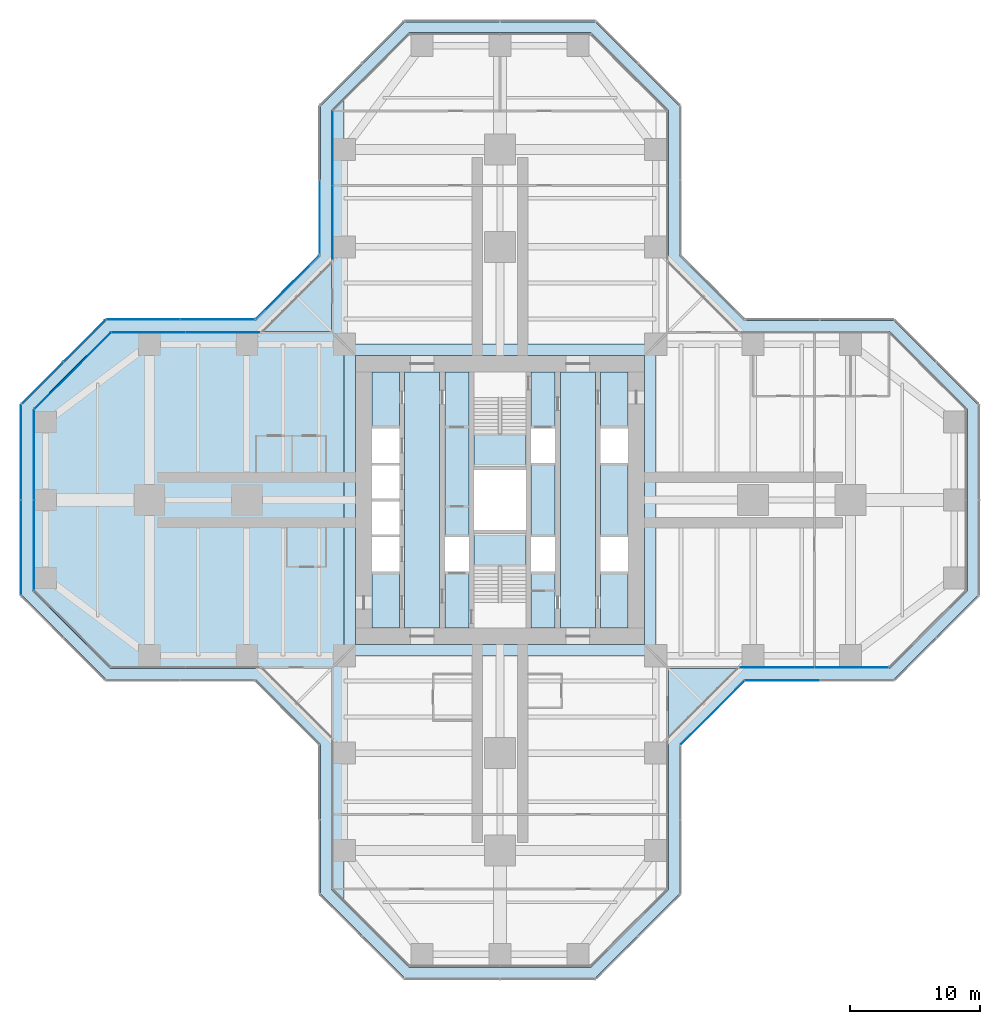
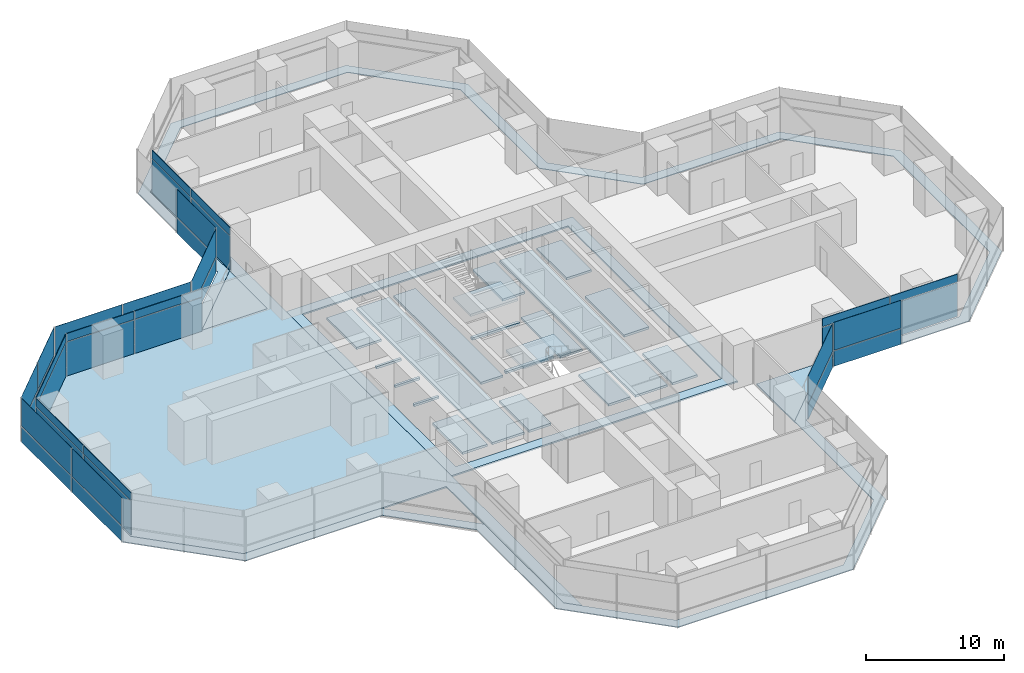
# One storey, part 15 of 22: 39 plates, 7 slabs, 14 elements without a shape of their own.
"""IFC4 building model written with IfcOpenShell, lengths in metres."""

from ifc_helpers import new_model, si_unit, direction, frame, origin, origin_2d, place, context, subcontext, project, spatial, polyline, rectangle, outline, extrude, material, layer, layer_set, type_object, element, aggregate, save


model = new_model("IFC4")

# Units and contexts
model_context = context("Model", 3, precision=1e-05, world=origin(), true_north=direction((0.0, 1.0)))
body_context = subcontext(model_context, "Body", "Model", "MODEL_VIEW")
ifc_project = project(units=[si_unit("LENGTHUNIT", "METRE"), si_unit("AREAUNIT", "SQUARE_METRE"), si_unit("VOLUMEUNIT", "CUBIC_METRE"), si_unit("PLANEANGLEUNIT", "RADIAN"), si_unit("MASSUNIT", "GRAM", prefix="KILO")], contexts=[model_context])

# Site, building, storey
site_placement = place(None, origin())
site = spatial("IfcSite", under=ifc_project, at=site_placement, CompositionType="ELEMENT")
building_placement = place(site_placement, origin())
building = spatial("IfcBuilding", under=site, at=building_placement, Name="Mizan Broadcast Tower", CompositionType="ELEMENT")
storey_placement = place(building_placement, frame((0.0, 0.0, 94.199951171875)))
storey = spatial("IfcBuildingStorey", under=building, at=storey_placement, Name="L20", CompositionType="ELEMENT", Elevation=94.199951171875)

# Plate
ifc_material_1 = material(Name="Aluminium grating", Category="aluminium")
ifc_layer_1 = layer(ifc_material_1, 0.050048828125)
ifc_layer_set_1 = layer_set([ifc_layer_1], Name="Aluminium grating")
plate_type_1 = type_object("IfcPlateType", Name="CAVITY GRATING", PredefinedType="USERDEFINED", material=ifc_layer_set_1)
plate_1_placement = place(storey_placement, frame((0.0, 0.0, -0.050048828125)))
element("IfcPlate", 1, at=plate_1_placement, inside=storey, type_object=plate_type_1, Name="Cavity grating L20", ObjectType="GRATING", PredefinedType="USERDEFINED", context=body_context, shape_type="SweptSolid", body=[
    extrude(outline(polyline([(13.820068359375, -18.839599609375), (18.839599609375, -13.820068359375), (30.339599609375, -13.820068359375), (36.820068359375, -7.339599609375), (36.820068359375, 7.339599609375), (30.339599609375, 13.820068359375), (18.839599609375, 13.820068359375), (13.820068359375, 18.839599609375), (13.820068359375, 30.339599609375), (7.339599609375, 36.820068359375), (-7.339599609375, 36.820068359375), (-13.820068359375, 30.339599609375), (-13.820068359375, 18.839599609375), (-18.839599609375, 13.820068359375), (-30.339599609375, 13.820068359375), (-36.820068359375, 7.339599609375), (-36.820068359375, -7.339599609375), (-30.339599609375, -13.820068359375), (-18.839599609375, -13.820068359375), (-13.820068359375, -18.839599609375), (-13.820068359375, -30.339599609375), (-7.339599609375, -36.820068359375), (7.339599609375, -36.820068359375), (13.820068359375, -30.339599609375), (13.820068359375, -18.839599609375)]), holes=[polyline([(36.0, 7.0), (36.0, -7.0), (30.0, -13.0), (18.5, -13.0), (13.0, -18.5), (13.0, -30.0), (7.0, -36.0), (-7.0, -36.0), (-13.0, -30.0), (-13.0, -18.5), (-18.5, -13.0), (-30.0, -13.0), (-36.0, -7.0), (-36.0, 7.0), (-30.0, 13.0), (-18.5, 13.0), (-13.0, 18.5), (-13.0, 30.0), (-7.0, 36.0), (7.0, 36.0), (13.0, 30.0), (13.0, 18.5), (18.5, 13.0), (30.0, 13.0), (36.0, 7.0)])]), origin(), (0.0, 0.0, 1.0), 0.050048828125),
])

# Slabs
ifc_material_2 = material(Name="Concrete C32/40", Category="concrete")
ifc_layer_2 = layer(ifc_material_2, 0.1298828125)
ifc_layer_set_2 = layer_set([ifc_layer_2], Name="Concrete C32/40")
slab_type_1 = type_object("IfcSlabType", Name="COMPOSITE DECK SLAB 130", PredefinedType="FLOOR", material=ifc_layer_set_2)
slab_1_placement = place(storey_placement, frame((0.0, 0.0, -0.1298828125)))
element("IfcSlab", 2, at=slab_1_placement, inside=storey, type_object=slab_type_1, Name="Floor slab L20 centre", PredefinedType="FLOOR", context=body_context, shape_type="SweptSolid", body=[
    extrude(outline(polyline([(-12.0, -12.0), (12.0, -12.0), (12.0, 12.0), (-12.0, 12.0), (-12.0, -12.0)]), holes=[polyline([(-11.14990234375, 11.14990234375), (11.14990234375, 11.14990234375), (11.14990234375, -11.14990234375), (-11.14990234375, -11.14990234375), (-11.14990234375, 11.14990234375)])]), origin(), (0.0, 0.0, 1.0), 0.1298828125),
])
slab_2_placement = place(storey_placement, frame((0.0, 0.0, -0.1298828125)))
element("IfcSlab", 3, at=slab_2_placement, inside=storey, type_object=slab_type_1, Name="Floor slab L20 west arm", PredefinedType="FLOOR", context=body_context, shape_type="SweptSolid", body=[
    extrude(outline(polyline([(-13.0, -30.0), (-12.0, -31.0), (-12.0, 31.0), (-13.0, 30.0), (-13.0, 13.0), (-30.0, 13.0), (-36.0, 7.0), (-36.0, -7.0), (-30.0, -13.0), (-13.0, -13.0), (-13.0, -30.0)])), origin(), (0.0, 0.0, 1.0), 0.1298828125),
])
ifc_material_3 = material(Name="Concrete C40/50", Category="concrete")
ifc_layer_3 = layer(ifc_material_3, 0.199951171875)
ifc_layer_set_3 = layer_set([ifc_layer_3], Name="Concrete C40/50")
slab_type_2 = type_object("IfcSlabType", Name="CORE FLOOR 200", PredefinedType="FLOOR", material=ifc_layer_set_3)
slab_3_placement = place(storey_placement, frame((0.0, 0.0, -0.199951171875)))
element("IfcSlab", 4, at=slab_3_placement, inside=storey, type_object=slab_type_2, Name="Core floor L20", PredefinedType="FLOOR", context=body_context, shape_type="SweptSolid", body=[
    extrude(outline(polyline([(-9.85009765625, -9.85009765625), (-7.75, -9.85009765625), (-7.75, -5.5), (-9.85009765625, -5.5), (-9.85009765625, -9.85009765625)])), origin(), (0.0, 0.0, 1.0), 0.199951171875),
    extrude(outline(polyline([(-9.85009765625, -2.85009765625), (-7.75, -2.85009765625), (-7.75, -2.64990234375), (-9.85009765625, -2.64990234375), (-9.85009765625, -2.85009765625)])), origin(), (0.0, 0.0, 1.0), 0.199951171875),
    extrude(outline(polyline([(-9.85009765625, -0.10009765625), (-7.75, -0.10009765625), (-7.75, 0.10009765625), (-9.85009765625, 0.10009765625), (-9.85009765625, -0.10009765625)])), origin(), (0.0, 0.0, 1.0), 0.199951171875),
    extrude(outline(polyline([(-9.85009765625, 2.64990234375), (-7.75, 2.64990234375), (-7.75, 2.85009765625), (-9.85009765625, 2.85009765625), (-9.85009765625, 2.64990234375)])), origin(), (0.0, 0.0, 1.0), 0.199951171875),
    extrude(outline(polyline([(-9.85009765625, 5.5), (-7.75, 5.5), (-7.75, 9.85009765625), (-9.85009765625, 9.85009765625), (-9.85009765625, 5.5)])), origin(), (0.0, 0.0, 1.0), 0.199951171875),
    extrude(outline(polyline([(-4.64990234375, 9.85009765625), (-7.35009765625, 9.85009765625), (-7.35009765625, -9.85009765625), (-4.64990234375, -9.85009765625), (-4.64990234375, 9.85009765625)])), origin(), (0.0, 0.0, 1.0), 0.199951171875),
    extrude(outline(polyline([(-4.25, -5.5), (-4.25, -9.85009765625), (-2.39990234375, -9.85009765625), (-2.39990234375, -5.5), (-4.25, -5.5)])), origin(), (0.0, 0.0, 1.0), 0.199951171875),
    extrude(outline(polyline([(-4.25, -2.85009765625), (-2.39990234375, -2.85009765625), (-2.39990234375, 9.85009765625), (-4.25, 9.85009765625), (-4.25, -2.85009765625)])), origin(), (0.0, 0.0, 1.0), 0.199951171875),
    extrude(outline(polyline([(2.0, -2.324951171875), (-2.0, -2.324951171875), (-2.0, -2.574951171875), (2.0, -2.574951171875), (2.0, -2.324951171875)])), origin(), (0.0, 0.0, 1.0), 0.199951171875),
    extrude(outline(polyline([(2.0, 2.574951171875), (-2.0, 2.574951171875), (-2.0, 2.324951171875), (2.0, 2.324951171875), (2.0, 2.574951171875)])), origin(), (0.0, 0.0, 1.0), 0.199951171875),
    extrude(outline(polyline([(4.25, -9.85009765625), (4.25, -5.5), (2.39990234375, -5.5), (2.39990234375, -9.85009765625), (4.25, -9.85009765625)])), origin(), (0.0, 0.0, 1.0), 0.199951171875),
    extrude(outline(polyline([(4.25, -2.85009765625), (4.25, 2.85009765625), (2.39990234375, 2.85009765625), (2.39990234375, -2.85009765625), (4.25, -2.85009765625)])), origin(), (0.0, 0.0, 1.0), 0.199951171875),
    extrude(outline(polyline([(4.25, 5.5), (4.25, 9.85009765625), (2.39990234375, 9.85009765625), (2.39990234375, 5.5), (4.25, 5.5)])), origin(), (0.0, 0.0, 1.0), 0.199951171875),
    extrude(outline(polyline([(4.64990234375, 9.85009765625), (4.64990234375, -9.85009765625), (7.35009765625, -9.85009765625), (7.35009765625, 9.85009765625), (4.64990234375, 9.85009765625)])), origin(), (0.0, 0.0, 1.0), 0.199951171875),
    extrude(outline(polyline([(9.85009765625, -9.85009765625), (9.85009765625, -5.5), (7.75, -5.5), (7.75, -9.85009765625), (9.85009765625, -9.85009765625)])), origin(), (0.0, 0.0, 1.0), 0.199951171875),
    extrude(outline(polyline([(7.75, 2.85009765625), (7.75, -2.85009765625), (9.85009765625, -2.85009765625), (9.85009765625, 2.85009765625), (7.75, 2.85009765625)])), origin(), (0.0, 0.0, 1.0), 0.199951171875),
    extrude(outline(polyline([(9.85009765625, 5.5), (9.85009765625, 9.85009765625), (7.75, 9.85009765625), (7.75, 5.5), (9.85009765625, 5.5)])), origin(), (0.0, 0.0, 1.0), 0.199951171875),
])

# Curtain wall, plates
ifc_material_4 = material(Name="Aluminium framed glazing", Category="aluminium")
curtain_wall_type_1 = type_object("IfcCurtainWallType", Name="INNER SKIN LOW ZONE", PredefinedType="USERDEFINED", material=ifc_material_4)
curtain_wall_1_placement = place(storey_placement, origin())
curtain_wall_1 = element("IfcCurtainWall", 5, at=curtain_wall_1_placement, inside=storey, type_object=curtain_wall_type_1, Name="Inner skin low zone L20 E side", ObjectType="INNER SKIN LOW ZONE", PredefinedType="USERDEFINED")
ifc_material_5 = material(Name="Double glazing, clear low-e", Category="glass")
ifc_layer_4 = layer(ifc_material_5, 0.028076171875)
ifc_layer_set_4 = layer_set([ifc_layer_4], Name="Double glazing, clear low-e")
plate_type_2 = type_object("IfcPlateType", Name="INNER SKIN GLAZING UNIT", PredefinedType="CURTAIN_PANEL", material=ifc_layer_set_4)
plate_2_placement = place(storey_placement, frame((21.379638671875, -12.89990234375, 0.0), z_axis=(0.0, 0.0, 1.0), x_axis=(1.0, 0.0, 0.0)))
plate_2 = element("IfcPlate", 6, at=plate_2_placement, type_object=plate_type_2, Name="Inner skin low zone L20 E side panel 1.1", PredefinedType="CURTAIN_PANEL", context=body_context, shape_type="SweptSolid", body=[
    extrude(rectangle(XDim=5.639404296875, YDim=0.028076171875, at=origin_2d()), origin(), (0.0, 0.0, 1.0), 3.0),
])
plate_3_placement = place(storey_placement, frame((27.078857421875, -12.89990234375, 0.0), z_axis=(0.0, 0.0, 1.0), x_axis=(1.0, 0.0, 0.0)))
plate_3 = element("IfcPlate", 7, at=plate_3_placement, type_object=plate_type_2, Name="Inner skin low zone L20 E side panel 2.1", PredefinedType="CURTAIN_PANEL", context=body_context, shape_type="SweptSolid", body=[
    extrude(rectangle(XDim=5.639404296875, YDim=0.028076171875, at=origin_2d()), origin(), (0.0, 0.0, 1.0), 3.0),
])

curtain_wall_2_placement = place(storey_placement, origin())
curtain_wall_2 = element("IfcCurtainWall", 8, at=curtain_wall_2_placement, inside=storey, type_object=curtain_wall_type_1, Name="Inner skin low zone L20 N side", ObjectType="INNER SKIN LOW ZONE", PredefinedType="USERDEFINED")
plate_4_placement = place(storey_placement, frame((-12.89990234375, 27.078857421875, 0.0), z_axis=(0.0, 0.0, 1.0), x_axis=(0.0, -1.0, 0.0)))
plate_4 = element("IfcPlate", 9, at=plate_4_placement, type_object=plate_type_2, Name="Inner skin low zone L20 N side panel 1.1", PredefinedType="CURTAIN_PANEL", context=body_context, shape_type="SweptSolid", body=[
    extrude(rectangle(XDim=5.639404296875, YDim=0.028076171875, at=origin_2d()), origin(), (0.0, 0.0, 1.0), 3.0),
])
plate_5_placement = place(storey_placement, frame((-12.89990234375, 21.379638671875, 0.0), z_axis=(0.0, 0.0, 1.0), x_axis=(0.0, -1.0, 0.0)))
plate_5 = element("IfcPlate", 10, at=plate_5_placement, type_object=plate_type_2, Name="Inner skin low zone L20 N side panel 2.1", PredefinedType="CURTAIN_PANEL", context=body_context, shape_type="SweptSolid", body=[
    extrude(rectangle(XDim=5.639404296875, YDim=0.028076171875, at=origin_2d()), origin(), (0.0, 0.0, 1.0), 3.0),
])

curtain_wall_3_placement = place(storey_placement, origin())
curtain_wall_3 = element("IfcCurtainWall", 11, at=curtain_wall_3_placement, inside=storey, type_object=curtain_wall_type_1, Name="Inner skin low zone L20 W side", ObjectType="INNER SKIN LOW ZONE", PredefinedType="USERDEFINED")
plate_6_placement = place(storey_placement, frame((-21.379638671875, 12.89990234375, 0.0), z_axis=(0.0, 0.0, 1.0), x_axis=(-1.0, 0.0, 0.0)))
plate_6 = element("IfcPlate", 12, at=plate_6_placement, type_object=plate_type_2, Name="Inner skin low zone L20 W side panel 1.1", PredefinedType="CURTAIN_PANEL", context=body_context, shape_type="SweptSolid", body=[
    extrude(rectangle(XDim=5.639404296875, YDim=0.028076171875, at=origin_2d()), origin(), (0.0, 0.0, 1.0), 3.0),
])
plate_7_placement = place(storey_placement, frame((-27.078857421875, 12.89990234375, 0.0), z_axis=(0.0, 0.0, 1.0), x_axis=(-1.0, 0.0, 0.0)))
plate_7 = element("IfcPlate", 13, at=plate_7_placement, type_object=plate_type_2, Name="Inner skin low zone L20 W side panel 2.1", PredefinedType="CURTAIN_PANEL", context=body_context, shape_type="SweptSolid", body=[
    extrude(rectangle(XDim=5.639404296875, YDim=0.028076171875, at=origin_2d()), origin(), (0.0, 0.0, 1.0), 3.0),
])

# Curtain wall, plate
curtain_wall_4_placement = place(storey_placement, origin())
curtain_wall_4 = element("IfcCurtainWall", 14, at=curtain_wall_4_placement, inside=storey, type_object=curtain_wall_type_1, Name="Inner skin low zone L20 W chamfer", ObjectType="INNER SKIN LOW ZONE", PredefinedType="USERDEFINED")
plate_8_placement = place(storey_placement, frame((-32.92919921875, 9.92919921875, 0.0), z_axis=(0.0, 0.0, 1.0), x_axis=(-0.707106781187, -0.707106781187, 0.0)))
plate_8 = element("IfcPlate", 15, at=plate_8_placement, type_object=plate_type_2, Name="Inner skin low zone L20 W chamfer panel 1.1", PredefinedType="CURTAIN_PANEL", context=body_context, shape_type="SweptSolid", body=[
    extrude(rectangle(XDim=8.282470703125, YDim=0.028076171875, at=origin_2d()), origin(), (0.0, 0.0, 1.0), 3.0),
])

# Curtain wall, plates
curtain_wall_5_placement = place(storey_placement, origin())
curtain_wall_5 = element("IfcCurtainWall", 16, at=curtain_wall_5_placement, inside=storey, type_object=curtain_wall_type_1, Name="Inner skin low zone L20 W end", ObjectType="INNER SKIN LOW ZONE", PredefinedType="USERDEFINED")
plate_9_placement = place(storey_placement, frame((-35.89990234375, 3.46435546875, 0.0), z_axis=(0.0, 0.0, 1.0), x_axis=(0.0, -1.0, 0.0)))
plate_9 = element("IfcPlate", 17, at=plate_9_placement, type_object=plate_type_2, Name="Inner skin low zone L20 W end panel 1.1", PredefinedType="CURTAIN_PANEL", context=body_context, shape_type="SweptSolid", body=[
    extrude(rectangle(XDim=6.86865234375, YDim=0.028076171875, at=origin_2d()), origin(), (0.0, 0.0, 1.0), 3.0),
])
plate_10_placement = place(storey_placement, frame((-35.89990234375, -3.46435546875, 0.0), z_axis=(0.0, 0.0, 1.0), x_axis=(0.0, -1.0, 0.0)))
plate_10 = element("IfcPlate", 18, at=plate_10_placement, type_object=plate_type_2, Name="Inner skin low zone L20 W end panel 2.1", PredefinedType="CURTAIN_PANEL", context=body_context, shape_type="SweptSolid", body=[
    extrude(rectangle(XDim=6.86865234375, YDim=0.028076171875, at=origin_2d()), origin(), (0.0, 0.0, 1.0), 3.0),
])

# Plate
ifc_material_6 = material(Name="Insulated aluminium spandrel panel, pale anodised", Category="aluminium")
ifc_layer_5 = layer(ifc_material_6, 0.050048828125)
ifc_layer_set_5 = layer_set([ifc_layer_5], Name="Insulated aluminium spandrel panel, pale anodised")
plate_type_3 = type_object("IfcPlateType", Name="INNER SKIN SPANDREL PANEL", PredefinedType="CURTAIN_PANEL", material=ifc_layer_set_5)
plate_11_placement = place(storey_placement, frame((21.379638671875, -12.89990234375, 3.06005859375), z_axis=(0.0, 0.0, 1.0), x_axis=(1.0, 0.0, 0.0)))
plate_11 = element("IfcPlate", 19, at=plate_11_placement, type_object=plate_type_3, Name="Inner skin low zone L20 E side panel 1.2", PredefinedType="CURTAIN_PANEL", context=body_context, shape_type="SweptSolid", body=[
    extrude(rectangle(XDim=5.639404296875, YDim=0.050048828125, at=origin_2d()), origin(), (0.0, 0.0, 1.0), 0.7099609375),
])

plate_12_placement = place(storey_placement, frame((27.078857421875, -12.89990234375, 3.06005859375), z_axis=(0.0, 0.0, 1.0), x_axis=(1.0, 0.0, 0.0)))
plate_12 = element("IfcPlate", 20, at=plate_12_placement, type_object=plate_type_3, Name="Inner skin low zone L20 E side panel 2.2", PredefinedType="CURTAIN_PANEL", context=body_context, shape_type="SweptSolid", body=[
    extrude(rectangle(XDim=5.639404296875, YDim=0.050048828125, at=origin_2d()), origin(), (0.0, 0.0, 1.0), 0.7099609375),
])

aggregate(curtain_wall_1, [plate_2, plate_11, plate_3, plate_12])

plate_13_placement = place(storey_placement, frame((-12.89990234375, 27.078857421875, 3.06005859375), z_axis=(0.0, 0.0, 1.0), x_axis=(0.0, -1.0, 0.0)))
plate_13 = element("IfcPlate", 21, at=plate_13_placement, type_object=plate_type_3, Name="Inner skin low zone L20 N side panel 1.2", PredefinedType="CURTAIN_PANEL", context=body_context, shape_type="SweptSolid", body=[
    extrude(rectangle(XDim=5.639404296875, YDim=0.050048828125, at=origin_2d()), origin(), (0.0, 0.0, 1.0), 0.7099609375),
])

plate_14_placement = place(storey_placement, frame((-12.89990234375, 21.379638671875, 3.06005859375), z_axis=(0.0, 0.0, 1.0), x_axis=(0.0, -1.0, 0.0)))
plate_14 = element("IfcPlate", 22, at=plate_14_placement, type_object=plate_type_3, Name="Inner skin low zone L20 N side panel 2.2", PredefinedType="CURTAIN_PANEL", context=body_context, shape_type="SweptSolid", body=[
    extrude(rectangle(XDim=5.639404296875, YDim=0.050048828125, at=origin_2d()), origin(), (0.0, 0.0, 1.0), 0.7099609375),
])

aggregate(curtain_wall_2, [plate_4, plate_13, plate_5, plate_14])

plate_15_placement = place(storey_placement, frame((-21.379638671875, 12.89990234375, 3.06005859375), z_axis=(0.0, 0.0, 1.0), x_axis=(-1.0, 0.0, 0.0)))
plate_15 = element("IfcPlate", 23, at=plate_15_placement, type_object=plate_type_3, Name="Inner skin low zone L20 W side panel 1.2", PredefinedType="CURTAIN_PANEL", context=body_context, shape_type="SweptSolid", body=[
    extrude(rectangle(XDim=5.639404296875, YDim=0.050048828125, at=origin_2d()), origin(), (0.0, 0.0, 1.0), 0.7099609375),
])

plate_16_placement = place(storey_placement, frame((-27.078857421875, 12.89990234375, 3.06005859375), z_axis=(0.0, 0.0, 1.0), x_axis=(-1.0, 0.0, 0.0)))
plate_16 = element("IfcPlate", 24, at=plate_16_placement, type_object=plate_type_3, Name="Inner skin low zone L20 W side panel 2.2", PredefinedType="CURTAIN_PANEL", context=body_context, shape_type="SweptSolid", body=[
    extrude(rectangle(XDim=5.639404296875, YDim=0.050048828125, at=origin_2d()), origin(), (0.0, 0.0, 1.0), 0.7099609375),
])

aggregate(curtain_wall_3, [plate_6, plate_15, plate_7, plate_16])

plate_17_placement = place(storey_placement, frame((-32.92919921875, 9.92919921875, 3.06005859375), z_axis=(0.0, 0.0, 1.0), x_axis=(-0.707106781187, -0.707106781187, 0.0)))
plate_17 = element("IfcPlate", 25, at=plate_17_placement, type_object=plate_type_3, Name="Inner skin low zone L20 W chamfer panel 1.2", PredefinedType="CURTAIN_PANEL", context=body_context, shape_type="SweptSolid", body=[
    extrude(rectangle(XDim=8.282470703125, YDim=0.050048828125, at=origin_2d()), origin(), (0.0, 0.0, 1.0), 0.7099609375),
])

aggregate(curtain_wall_4, [plate_8, plate_17])

plate_18_placement = place(storey_placement, frame((-35.89990234375, 3.46435546875, 3.06005859375), z_axis=(0.0, 0.0, 1.0), x_axis=(0.0, -1.0, 0.0)))
plate_18 = element("IfcPlate", 26, at=plate_18_placement, type_object=plate_type_3, Name="Inner skin low zone L20 W end panel 1.2", PredefinedType="CURTAIN_PANEL", context=body_context, shape_type="SweptSolid", body=[
    extrude(rectangle(XDim=6.86865234375, YDim=0.050048828125, at=origin_2d()), origin(), (0.0, 0.0, 1.0), 0.7099609375),
])

plate_19_placement = place(storey_placement, frame((-35.89990234375, -3.46435546875, 3.06005859375), z_axis=(0.0, 0.0, 1.0), x_axis=(0.0, -1.0, 0.0)))
plate_19 = element("IfcPlate", 27, at=plate_19_placement, type_object=plate_type_3, Name="Inner skin low zone L20 W end panel 2.2", PredefinedType="CURTAIN_PANEL", context=body_context, shape_type="SweptSolid", body=[
    extrude(rectangle(XDim=6.86865234375, YDim=0.050048828125, at=origin_2d()), origin(), (0.0, 0.0, 1.0), 0.7099609375),
])

aggregate(curtain_wall_5, [plate_9, plate_18, plate_10, plate_19])

# Curtain wall, plates
ifc_material_7 = material(Name="Aluminium framed glazing", Category="aluminium")
curtain_wall_type_2 = type_object("IfcCurtainWallType", Name="OUTER SKIN", PredefinedType="USERDEFINED", material=ifc_material_7)
curtain_wall_6_placement = place(storey_placement, origin())
curtain_wall_6 = element("IfcCurtainWall", 28, at=curtain_wall_6_placement, inside=storey, type_object=curtain_wall_type_2, Name="Outer skin L20 W chamfer", ObjectType="OUTER SKIN", PredefinedType="USERDEFINED")
ifc_material_8 = material(Name="Laminated clear glass", Category="glass")
ifc_layer_6 = layer(ifc_material_8, 0.02001953125)
ifc_layer_set_6 = layer_set([ifc_layer_6], Name="Laminated clear glass")
plate_type_4 = type_object("IfcPlateType", Name="OUTER SKIN CLEAR GLASS", PredefinedType="CURTAIN_PANEL", material=ifc_layer_set_6)
plate_20_placement = place(storey_placement, frame((-16.386474609375, 16.386474609375, 0.0), z_axis=(0.0, 0.0, 1.0), x_axis=(-0.707106781187, -0.707106781187, 0.0)))
plate_20 = element("IfcPlate", 29, at=plate_20_placement, type_object=plate_type_4, Name="Outer skin L20 W chamfer panel 1.1", PredefinedType="CURTAIN_PANEL", context=body_context, shape_type="SweptSolid", body=[
    extrude(rectangle(XDim=6.87255859375, YDim=0.02001953125, at=origin_2d()), origin(), (0.0, 0.0, 1.0), 1.3701171875),
])
plate_21_placement = place(storey_placement, frame((-16.386474609375, 16.386474609375, 1.43017578125), z_axis=(0.0, 0.0, 1.0), x_axis=(-0.707106781187, -0.707106781187, 0.0)))
plate_21 = element("IfcPlate", 30, at=plate_21_placement, type_object=plate_type_4, Name="Outer skin L20 W chamfer panel 1.2", PredefinedType="CURTAIN_PANEL", context=body_context, shape_type="SweptSolid", body=[
    extrude(rectangle(XDim=6.87255859375, YDim=0.02001953125, at=origin_2d()), origin(), (0.0, 0.0, 1.0), 2.469970703125),
])
aggregate(curtain_wall_6, [plate_20, plate_21])

curtain_wall_7_placement = place(storey_placement, origin())
curtain_wall_7 = element("IfcCurtainWall", 31, at=curtain_wall_7_placement, inside=storey, type_object=curtain_wall_type_2, Name="Outer skin L20 W side", ObjectType="OUTER SKIN", PredefinedType="USERDEFINED")
plate_22_placement = place(storey_placement, frame((-21.767822265625, 13.89990234375, 0.0), z_axis=(0.0, 0.0, 1.0), x_axis=(-1.0, 0.0, 0.0)))
plate_22 = element("IfcPlate", 32, at=plate_22_placement, type_object=plate_type_4, Name="Outer skin L20 W side panel 1.1", PredefinedType="CURTAIN_PANEL", context=body_context, shape_type="SweptSolid", body=[
    extrude(rectangle(XDim=5.6298828125, YDim=0.02001953125, at=origin_2d()), origin(), (0.0, 0.0, 1.0), 1.3701171875),
])
plate_23_placement = place(storey_placement, frame((-21.767822265625, 13.89990234375, 1.43017578125), z_axis=(0.0, 0.0, 1.0), x_axis=(-1.0, 0.0, 0.0)))
plate_23 = element("IfcPlate", 33, at=plate_23_placement, type_object=plate_type_4, Name="Outer skin L20 W side panel 1.2", PredefinedType="CURTAIN_PANEL", context=body_context, shape_type="SweptSolid", body=[
    extrude(rectangle(XDim=5.6298828125, YDim=0.02001953125, at=origin_2d()), origin(), (0.0, 0.0, 1.0), 2.469970703125),
])
plate_24_placement = place(storey_placement, frame((-27.477783203125, 13.89990234375, 0.0), z_axis=(0.0, 0.0, 1.0), x_axis=(-1.0, 0.0, 0.0)))
plate_24 = element("IfcPlate", 34, at=plate_24_placement, type_object=plate_type_4, Name="Outer skin L20 W side panel 2.1", PredefinedType="CURTAIN_PANEL", context=body_context, shape_type="SweptSolid", body=[
    extrude(rectangle(XDim=5.6298828125, YDim=0.02001953125, at=origin_2d()), origin(), (0.0, 0.0, 1.0), 1.3701171875),
])
plate_25_placement = place(storey_placement, frame((-27.477783203125, 13.89990234375, 1.43017578125), z_axis=(0.0, 0.0, 1.0), x_axis=(-1.0, 0.0, 0.0)))
plate_25 = element("IfcPlate", 35, at=plate_25_placement, type_object=plate_type_4, Name="Outer skin L20 W side panel 2.2", PredefinedType="CURTAIN_PANEL", context=body_context, shape_type="SweptSolid", body=[
    extrude(rectangle(XDim=5.6298828125, YDim=0.02001953125, at=origin_2d()), origin(), (0.0, 0.0, 1.0), 2.469970703125),
])
aggregate(curtain_wall_7, [plate_22, plate_23, plate_24, plate_25])

curtain_wall_8_placement = place(storey_placement, origin())
curtain_wall_8 = element("IfcCurtainWall", 36, at=curtain_wall_8_placement, inside=storey, type_object=curtain_wall_type_2, Name="Outer skin L20 W chamfer", ObjectType="OUTER SKIN", PredefinedType="USERDEFINED")
plate_26_placement = place(storey_placement, frame((-32.018798828125, 12.254150390625, 0.0), z_axis=(0.0, 0.0, 1.0), x_axis=(-0.707106781187, -0.707106781187, 0.0)))
plate_26 = element("IfcPlate", 37, at=plate_26_placement, type_object=plate_type_4, Name="Outer skin L20 W chamfer panel 1.1", PredefinedType="CURTAIN_PANEL", context=body_context, shape_type="SweptSolid", body=[
    extrude(rectangle(XDim=4.495361328125, YDim=0.02001953125, at=origin_2d()), origin(), (0.0, 0.0, 1.0), 1.3701171875),
])
plate_27_placement = place(storey_placement, frame((-32.018798828125, 12.254150390625, 1.43017578125), z_axis=(0.0, 0.0, 1.0), x_axis=(-0.707106781187, -0.707106781187, 0.0)))
plate_27 = element("IfcPlate", 38, at=plate_27_placement, type_object=plate_type_4, Name="Outer skin L20 W chamfer panel 1.2", PredefinedType="CURTAIN_PANEL", context=body_context, shape_type="SweptSolid", body=[
    extrude(rectangle(XDim=4.495361328125, YDim=0.02001953125, at=origin_2d()), origin(), (0.0, 0.0, 1.0), 2.469970703125),
])

curtain_wall_9_placement = place(storey_placement, origin())
curtain_wall_9 = element("IfcCurtainWall", 39, at=curtain_wall_9_placement, inside=storey, type_object=curtain_wall_type_2, Name="Outer skin L20 W end", ObjectType="OUTER SKIN", PredefinedType="USERDEFINED")
plate_28_placement = place(storey_placement, frame((-36.89990234375, 3.66650390625, 0.0), z_axis=(0.0, 0.0, 1.0), x_axis=(0.0, -1.0, 0.0)))
plate_28 = element("IfcPlate", 40, at=plate_28_placement, type_object=plate_type_4, Name="Outer skin L20 W end panel 1.1", PredefinedType="CURTAIN_PANEL", context=body_context, shape_type="SweptSolid", body=[
    extrude(rectangle(XDim=7.252685546875, YDim=0.02001953125, at=origin_2d()), origin(), (0.0, 0.0, 1.0), 1.3701171875),
])
plate_29_placement = place(storey_placement, frame((-36.89990234375, 3.66650390625, 1.43017578125), z_axis=(0.0, 0.0, 1.0), x_axis=(0.0, -1.0, 0.0)))
plate_29 = element("IfcPlate", 41, at=plate_29_placement, type_object=plate_type_4, Name="Outer skin L20 W end panel 1.2", PredefinedType="CURTAIN_PANEL", context=body_context, shape_type="SweptSolid", body=[
    extrude(rectangle(XDim=7.252685546875, YDim=0.02001953125, at=origin_2d()), origin(), (0.0, 0.0, 1.0), 2.469970703125),
])

curtain_wall_10_placement = place(storey_placement, origin())
curtain_wall_10 = element("IfcCurtainWall", 42, at=curtain_wall_10_placement, inside=storey, type_object=curtain_wall_type_2, Name="Outer skin L20 E chamfer", ObjectType="OUTER SKIN", PredefinedType="USERDEFINED")
plate_30_placement = place(storey_placement, frame((16.386474609375, -16.386474609375, 0.0), z_axis=(0.0, 0.0, 1.0), x_axis=(0.707106781187, 0.707106781187, 0.0)))
plate_30 = element("IfcPlate", 43, at=plate_30_placement, type_object=plate_type_4, Name="Outer skin L20 E chamfer panel 1.1", PredefinedType="CURTAIN_PANEL", context=body_context, shape_type="SweptSolid", body=[
    extrude(rectangle(XDim=6.87255859375, YDim=0.02001953125, at=origin_2d()), origin(), (0.0, 0.0, 1.0), 1.3701171875),
])
plate_31_placement = place(storey_placement, frame((16.386474609375, -16.386474609375, 1.43017578125), z_axis=(0.0, 0.0, 1.0), x_axis=(0.707106781187, 0.707106781187, 0.0)))
plate_31 = element("IfcPlate", 44, at=plate_31_placement, type_object=plate_type_4, Name="Outer skin L20 E chamfer panel 1.2", PredefinedType="CURTAIN_PANEL", context=body_context, shape_type="SweptSolid", body=[
    extrude(rectangle(XDim=6.87255859375, YDim=0.02001953125, at=origin_2d()), origin(), (0.0, 0.0, 1.0), 2.469970703125),
])
aggregate(curtain_wall_10, [plate_30, plate_31])

curtain_wall_11_placement = place(storey_placement, origin())
curtain_wall_11 = element("IfcCurtainWall", 45, at=curtain_wall_11_placement, inside=storey, type_object=curtain_wall_type_2, Name="Outer skin L20 E side", ObjectType="OUTER SKIN", PredefinedType="USERDEFINED")
plate_32_placement = place(storey_placement, frame((21.767822265625, -13.89990234375, 0.0), z_axis=(0.0, 0.0, 1.0), x_axis=(1.0, 0.0, 0.0)))
plate_32 = element("IfcPlate", 46, at=plate_32_placement, type_object=plate_type_4, Name="Outer skin L20 E side panel 1.1", PredefinedType="CURTAIN_PANEL", context=body_context, shape_type="SweptSolid", body=[
    extrude(rectangle(XDim=5.6298828125, YDim=0.02001953125, at=origin_2d()), origin(), (0.0, 0.0, 1.0), 1.3701171875),
])
plate_33_placement = place(storey_placement, frame((21.767822265625, -13.89990234375, 1.43017578125), z_axis=(0.0, 0.0, 1.0), x_axis=(1.0, 0.0, 0.0)))
plate_33 = element("IfcPlate", 47, at=plate_33_placement, type_object=plate_type_4, Name="Outer skin L20 E side panel 1.2", PredefinedType="CURTAIN_PANEL", context=body_context, shape_type="SweptSolid", body=[
    extrude(rectangle(XDim=5.6298828125, YDim=0.02001953125, at=origin_2d()), origin(), (0.0, 0.0, 1.0), 2.469970703125),
])
aggregate(curtain_wall_11, [plate_32, plate_33])

curtain_wall_12_placement = place(storey_placement, origin())
curtain_wall_12 = element("IfcCurtainWall", 48, at=curtain_wall_12_placement, inside=storey, type_object=curtain_wall_type_2, Name="Outer skin L20 N side", ObjectType="OUTER SKIN", PredefinedType="USERDEFINED")
ifc_material_9 = material(Name="Perforated aluminium, pale anodised", Category="aluminium")
ifc_layer_7 = layer(ifc_material_9, 0.011962890625)
ifc_layer_set_7 = layer_set([ifc_layer_7], Name="Perforated aluminium, pale anodised")
plate_type_5 = type_object("IfcPlateType", Name="OUTER SKIN PERFORATED SCREEN", PredefinedType="USERDEFINED", material=ifc_layer_set_7)
plate_34_placement = place(storey_placement, frame((-13.89990234375, 21.767822265625, 0.0), z_axis=(0.0, 0.0, 1.0), x_axis=(0.0, -1.0, 0.0)))
plate_34 = element("IfcPlate", 49, at=plate_34_placement, type_object=plate_type_5, Name="Outer skin L20 N side panel 2.1", ObjectType="SCREEN", PredefinedType="USERDEFINED", context=body_context, shape_type="SweptSolid", body=[
    extrude(rectangle(XDim=5.6298828125, YDim=0.011962890625, at=origin_2d()), origin(), (0.0, 0.0, 1.0), 1.3701171875),
])
plate_35_placement = place(storey_placement, frame((-13.89990234375, 21.767822265625, 1.43017578125), z_axis=(0.0, 0.0, 1.0), x_axis=(0.0, -1.0, 0.0)))
plate_35 = element("IfcPlate", 50, at=plate_35_placement, type_object=plate_type_5, Name="Outer skin L20 N side panel 2.2", ObjectType="SCREEN", PredefinedType="USERDEFINED", context=body_context, shape_type="SweptSolid", body=[
    extrude(rectangle(XDim=5.6298828125, YDim=0.011962890625, at=origin_2d()), origin(), (0.0, 0.0, 1.0), 2.469970703125),
])
aggregate(curtain_wall_12, [plate_34, plate_35])

# Plate
plate_36_placement = place(storey_placement, frame((-35.254150390625, 9.018798828125, 0.0), z_axis=(0.0, 0.0, 1.0), x_axis=(-0.707106781187, -0.707106781187, 0.0)))
plate_36 = element("IfcPlate", 51, at=plate_36_placement, type_object=plate_type_5, Name="Outer skin L20 W chamfer panel 2.1", ObjectType="SCREEN", PredefinedType="USERDEFINED", context=body_context, shape_type="SweptSolid", body=[
    extrude(rectangle(XDim=4.495361328125, YDim=0.011962890625, at=origin_2d()), origin(), (0.0, 0.0, 1.0), 1.3701171875),
])

plate_37_placement = place(storey_placement, frame((-35.254150390625, 9.018798828125, 1.43017578125), z_axis=(0.0, 0.0, 1.0), x_axis=(-0.707106781187, -0.707106781187, 0.0)))
plate_37 = element("IfcPlate", 52, at=plate_37_placement, type_object=plate_type_5, Name="Outer skin L20 W chamfer panel 2.2", ObjectType="SCREEN", PredefinedType="USERDEFINED", context=body_context, shape_type="SweptSolid", body=[
    extrude(rectangle(XDim=4.495361328125, YDim=0.011962890625, at=origin_2d()), origin(), (0.0, 0.0, 1.0), 2.469970703125),
])

aggregate(curtain_wall_8, [plate_26, plate_27, plate_36, plate_37])

plate_38_placement = place(storey_placement, frame((-36.89990234375, -3.66650390625, 0.0), z_axis=(0.0, 0.0, 1.0), x_axis=(0.0, -1.0, 0.0)))
plate_38 = element("IfcPlate", 53, at=plate_38_placement, type_object=plate_type_5, Name="Outer skin L20 W end panel 2.1", ObjectType="SCREEN", PredefinedType="USERDEFINED", context=body_context, shape_type="SweptSolid", body=[
    extrude(rectangle(XDim=7.252685546875, YDim=0.011962890625, at=origin_2d()), origin(), (0.0, 0.0, 1.0), 1.3701171875),
])

plate_39_placement = place(storey_placement, frame((-36.89990234375, -3.66650390625, 1.43017578125), z_axis=(0.0, 0.0, 1.0), x_axis=(0.0, -1.0, 0.0)))
plate_39 = element("IfcPlate", 54, at=plate_39_placement, type_object=plate_type_5, Name="Outer skin L20 W end panel 2.2", ObjectType="SCREEN", PredefinedType="USERDEFINED", context=body_context, shape_type="SweptSolid", body=[
    extrude(rectangle(XDim=7.252685546875, YDim=0.011962890625, at=origin_2d()), origin(), (0.0, 0.0, 1.0), 2.469970703125),
])

aggregate(curtain_wall_9, [plate_28, plate_29, plate_38, plate_39])

# Stair, slab
ifc_material_10 = material(Name="Concrete C40/50", Category="concrete")
stair_type = type_object("IfcStairType", Name="EXIT STAIR", PredefinedType="HALF_TURN_STAIR", material=ifc_material_10)
stair_1_placement = place(storey_placement, origin())
stair_1 = element("IfcStair", 55, at=stair_1_placement, inside=storey, type_object=stair_type, Name="Stair A L20", PredefinedType="HALF_TURN_STAIR")
ifc_material_11 = material(Name="Concrete C40/50", Category="concrete")
ifc_layer_8 = layer(ifc_material_11, 0.199951171875)
ifc_layer_set_8 = layer_set([ifc_layer_8], Name="Concrete C40/50")
slab_type_3 = type_object("IfcSlabType", Name="STAIR LANDING 200", PredefinedType="LANDING", material=ifc_layer_set_8)
slab_4_placement = place(storey_placement, frame((0.0, 0.0, 1.75)))
slab_4 = element("IfcSlab", 56, at=slab_4_placement, type_object=slab_type_3, Name="A landing 2", PredefinedType="LANDING", context=body_context, shape_type="SweptSolid", body=[
    extrude(outline(polyline([(-2.0, -5.10009765625), (-2.0, -2.574951171875), (2.0, -2.574951171875), (2.0, -5.10009765625), (-2.0, -5.10009765625)])), origin(), (0.0, 0.0, 1.0), 0.199951171875),
])
aggregate(stair_1, [slab_4])

stair_2_placement = place(storey_placement, origin())
stair_2 = element("IfcStair", 57, at=stair_2_placement, inside=storey, type_object=stair_type, Name="Stair B L20", PredefinedType="HALF_TURN_STAIR")
slab_5_placement = place(storey_placement, frame((0.0, 0.0, 1.75)))
slab_5 = element("IfcSlab", 58, at=slab_5_placement, type_object=slab_type_3, Name="B landing 2", PredefinedType="LANDING", context=body_context, shape_type="SweptSolid", body=[
    extrude(outline(polyline([(2.0, 5.10009765625), (2.0, 2.574951171875), (-2.0, 2.574951171875), (-2.0, 5.10009765625), (2.0, 5.10009765625)])), origin(), (0.0, 0.0, 1.0), 0.199951171875),
])
aggregate(stair_2, [slab_5])

# Slabs
ifc_material_12 = material(Name="Concrete C32/40", Category="concrete")
ifc_layer_9 = layer(ifc_material_12, 0.1298828125)
ifc_layer_set_9 = layer_set([ifc_layer_9], Name="Concrete C32/40")
slab_type_4 = type_object("IfcSlabType", Name="WINTER GARDEN SLAB 130", PredefinedType="FLOOR", material=ifc_layer_set_9)
slab_6_placement = place(storey_placement, frame((0.0, 0.0, -0.1298828125)))
element("IfcSlab", 59, at=slab_6_placement, inside=storey, type_object=slab_type_4, Name="Winter garden slab L20 N", PredefinedType="FLOOR", context=body_context, shape_type="SweptSolid", body=[
    extrude(outline(polyline([(-13.0, 13.0), (-13.0, 18.5), (-18.5, 13.0), (-13.0, 13.0)])), origin(), (0.0, 0.0, 1.0), 0.1298828125),
])
slab_7_placement = place(storey_placement, frame((0.0, 0.0, -0.1298828125)))
element("IfcSlab", 60, at=slab_7_placement, inside=storey, type_object=slab_type_4, Name="Winter garden slab L20 S", PredefinedType="FLOOR", context=body_context, shape_type="SweptSolid", body=[
    extrude(outline(polyline([(13.0, -13.0), (13.0, -18.5), (18.5, -13.0), (13.0, -13.0)])), origin(), (0.0, 0.0, 1.0), 0.1298828125),
])

save(model, "model.ifc")
